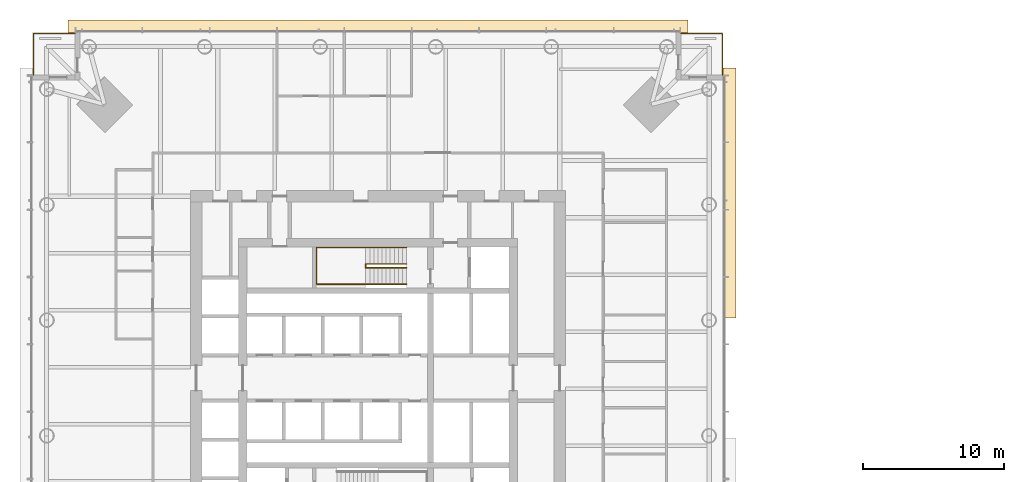
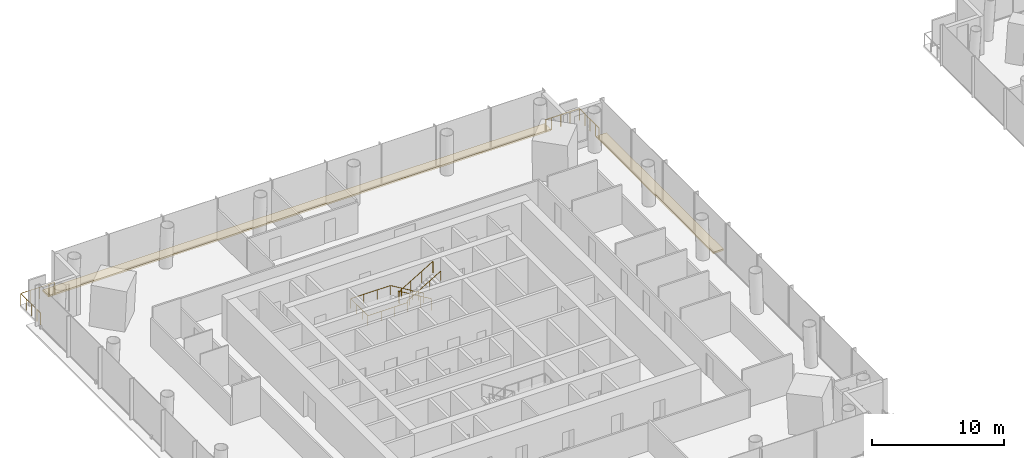
# One storey, part 25 of 26: 8 railings, 2 coverings.
"""IFC4 building model written with IfcOpenShell, lengths in metres."""

from ifc_helpers import new_model, si_unit, direction, frame, origin, origin_2d, place, context, subcontext, project, spatial, polyline, circle, outline, extrude, material, layer, layer_set, type_object, element, save


model = new_model("IFC4")

# Units and contexts
model_context = context("Model", 3, precision=1e-05, world=origin(), true_north=direction((0.0, 1.0)))
body_context = subcontext(model_context, "Body", "Model", "MODEL_VIEW")
ifc_project = project(units=[si_unit("LENGTHUNIT", "METRE"), si_unit("AREAUNIT", "SQUARE_METRE"), si_unit("VOLUMEUNIT", "CUBIC_METRE"), si_unit("PLANEANGLEUNIT", "RADIAN"), si_unit("MASSUNIT", "GRAM", prefix="KILO")], contexts=[model_context])

# Site, building, storey
site_placement = place(None, origin())
site = spatial("IfcSite", under=ifc_project, at=site_placement, CompositionType="ELEMENT")
building_placement = place(site_placement, origin())
building = spatial("IfcBuilding", under=site, at=building_placement, Name="Ostroluk Exchange", CompositionType="ELEMENT")
storey_placement = place(building_placement, frame((0.0, 0.0, 36.199951171875)))
storey = spatial("IfcBuildingStorey", under=building, at=storey_placement, Name="L08", CompositionType="ELEMENT", Elevation=36.199951171875)

# Railings
ifc_material_1 = material(Name="Stainless steel", Category="steel")
railing_type_1 = type_object("IfcRailingType", Name="Guard 1100 stainless steel", PredefinedType="GUARDRAIL", material=ifc_material_1)
railing_1_placement = place(storey_placement, frame((67.0, 70.449951171875, 0.0)))
element("IfcRailing", 1, at=railing_1_placement, inside=storey, type_object=railing_type_1, Name="Office tower NE balcony guard L08", PredefinedType="GUARDRAIL", context=body_context, shape_type="SweptSolid", body=[
    extrude(circle(Radius=0.02392578125, at=origin_2d()), frame((0.0, 0.0, 1.076171875), z_axis=(1.0, 0.0, 0.0), x_axis=(0.0, 1.0, 0.0)), (0.0, 0.0, 1.0), 2.449951171875),
    extrude(circle(Radius=0.02392578125, at=origin_2d()), frame((2.449951171875, 0.0, 1.076171875), z_axis=(0.0, -1.0, 0.0), x_axis=(1.0, 0.0, 0.0)), (0.0, 0.0, 1.0), 2.449951171875),
    extrude(circle(Radius=0.02099609375, at=origin_2d()), origin(), (0.0, 0.0, 1.0), 1.052001953125),
    extrude(circle(Radius=0.02099609375, at=origin_2d()), frame((0.816650390625, 0.0, 0.0)), (0.0, 0.0, 1.0), 1.052001953125),
    extrude(circle(Radius=0.02099609375, at=origin_2d()), frame((1.63330078125, 0.0, 0.0)), (0.0, 0.0, 1.0), 1.052001953125),
    extrude(circle(Radius=0.02099609375, at=origin_2d()), frame((2.449951171875, 0.0, 0.0)), (0.0, 0.0, 1.0), 1.052001953125),
    extrude(circle(Radius=0.02099609375, at=origin_2d()), frame((2.449951171875, -0.816650390625, 0.0)), (0.0, 0.0, 1.0), 1.052001953125),
    extrude(circle(Radius=0.02099609375, at=origin_2d()), frame((2.449951171875, -1.63330078125, 0.0)), (0.0, 0.0, 1.0), 1.052001953125),
    extrude(circle(Radius=0.02099609375, at=origin_2d()), frame((2.449951171875, -2.449951171875, 0.0)), (0.0, 0.0, 1.0), 1.052001953125),
])
railing_2_placement = place(storey_placement, frame((23.0, 70.449951171875, 0.0)))
element("IfcRailing", 2, at=railing_2_placement, inside=storey, type_object=railing_type_1, Name="Office tower NW balcony guard L08", PredefinedType="GUARDRAIL", context=body_context, shape_type="SweptSolid", body=[
    extrude(circle(Radius=0.02392578125, at=origin_2d()), frame((0.0, 0.0, 1.076171875), z_axis=(-1.0, 0.0, 0.0), x_axis=(0.0, -1.0, 0.0)), (0.0, 0.0, 1.0), 2.449951171875),
    extrude(circle(Radius=0.02392578125, at=origin_2d()), frame((-2.449951171875, 0.0, 1.076171875), z_axis=(0.0, -1.0, 0.0), x_axis=(1.0, 0.0, 0.0)), (0.0, 0.0, 1.0), 2.449951171875),
    extrude(circle(Radius=0.02099609375, at=origin_2d()), origin(), (0.0, 0.0, 1.0), 1.052001953125),
    extrude(circle(Radius=0.02099609375, at=origin_2d()), frame((-0.816650390625, 0.0, 0.0)), (0.0, 0.0, 1.0), 1.052001953125),
    extrude(circle(Radius=0.02099609375, at=origin_2d()), frame((-1.63330078125, 0.0, 0.0)), (0.0, 0.0, 1.0), 1.052001953125),
    extrude(circle(Radius=0.02099609375, at=origin_2d()), frame((-2.449951171875, 0.0, 0.0)), (0.0, 0.0, 1.0), 1.052001953125),
    extrude(circle(Radius=0.02099609375, at=origin_2d()), frame((-2.449951171875, -0.816650390625, 0.0)), (0.0, 0.0, 1.0), 1.052001953125),
    extrude(circle(Radius=0.02099609375, at=origin_2d()), frame((-2.449951171875, -1.63330078125, 0.0)), (0.0, 0.0, 1.0), 1.052001953125),
    extrude(circle(Radius=0.02099609375, at=origin_2d()), frame((-2.449951171875, -2.449951171875, 0.0)), (0.0, 0.0, 1.0), 1.052001953125),
])
ifc_material_2 = material(Name="Stainless steel", Category="steel")
railing_type_2 = type_object("IfcRailingType", Name="Lockable maintenance gate 1100", PredefinedType="GUARDRAIL", material=ifc_material_2)
railing_3_placement = place(storey_placement, frame((66.5, 70.449951171875, 0.0)))
element("IfcRailing", 3, at=railing_3_placement, inside=storey, type_object=railing_type_2, Name="Lockable maintenance gate T1 L08 NE", PredefinedType="GUARDRAIL", context=body_context, shape_type="SweptSolid", body=[
    extrude(circle(Radius=0.02392578125, at=origin_2d()), frame((0.0, 0.0, 1.076171875), z_axis=(1.0, 0.0, 0.0), x_axis=(0.0, 1.0, 0.0)), (0.0, 0.0, 1.0), 0.5),
    extrude(circle(Radius=0.02099609375, at=origin_2d()), origin(), (0.0, 0.0, 1.0), 1.052001953125),
    extrude(circle(Radius=0.02099609375, at=origin_2d()), frame((0.5, 0.0, 0.0)), (0.0, 0.0, 1.0), 1.052001953125),
])
railing_4_placement = place(storey_placement, frame((69.449951171875, 68.0, 0.0)))
element("IfcRailing", 4, at=railing_4_placement, inside=storey, type_object=railing_type_2, Name="Lockable maintenance gate T1 L08 NE", PredefinedType="GUARDRAIL", context=body_context, shape_type="SweptSolid", body=[
    extrude(circle(Radius=0.02392578125, at=origin_2d()), frame((0.0, 0.0, 1.076171875), z_axis=(0.0, -1.0, 0.0), x_axis=(1.0, 0.0, 0.0)), (0.0, 0.0, 1.0), 0.5),
    extrude(circle(Radius=0.02099609375, at=origin_2d()), origin(), (0.0, 0.0, 1.0), 1.052001953125),
    extrude(circle(Radius=0.02099609375, at=origin_2d()), frame((0.0, -0.5, 0.0)), (0.0, 0.0, 1.0), 1.052001953125),
])
railing_5_placement = place(storey_placement, frame((23.5, 70.449951171875, 0.0)))
element("IfcRailing", 5, at=railing_5_placement, inside=storey, type_object=railing_type_2, Name="Lockable maintenance gate T1 L08 NW", PredefinedType="GUARDRAIL", context=body_context, shape_type="SweptSolid", body=[
    extrude(circle(Radius=0.02392578125, at=origin_2d()), frame((0.0, 0.0, 1.076171875), z_axis=(-1.0, 0.0, 0.0), x_axis=(0.0, -1.0, 0.0)), (0.0, 0.0, 1.0), 0.5),
    extrude(circle(Radius=0.02099609375, at=origin_2d()), origin(), (0.0, 0.0, 1.0), 1.052001953125),
    extrude(circle(Radius=0.02099609375, at=origin_2d()), frame((-0.5, 0.0, 0.0)), (0.0, 0.0, 1.0), 1.052001953125),
])
railing_6_placement = place(storey_placement, frame((20.550048828125, 68.0, 0.0)))
element("IfcRailing", 6, at=railing_6_placement, inside=storey, type_object=railing_type_2, Name="Lockable maintenance gate T1 L08 NW", PredefinedType="GUARDRAIL", context=body_context, shape_type="SweptSolid", body=[
    extrude(circle(Radius=0.02392578125, at=origin_2d()), frame((0.0, 0.0, 1.076171875), z_axis=(0.0, -1.0, 0.0), x_axis=(1.0, 0.0, 0.0)), (0.0, 0.0, 1.0), 0.5),
    extrude(circle(Radius=0.02099609375, at=origin_2d()), origin(), (0.0, 0.0, 1.0), 1.052001953125),
    extrude(circle(Radius=0.02099609375, at=origin_2d()), frame((0.0, -0.5, 0.0)), (0.0, 0.0, 1.0), 1.052001953125),
])

# Coverings
ifc_material_3 = material(Name="Insulated steel roof deck with membrane, laid to falls, aluminium coping", Category="steel")
ifc_layer = layer(ifc_material_3, 0.14990234375)
ifc_layer_set = layer_set([ifc_layer], Name="Setback maintenance roof")
covering_type = type_object("IfcCoveringType", Name="Setback maintenance roof", PredefinedType="ROOFING", material=ifc_layer_set)
covering_1_placement = place(storey_placement, frame((0.0, 0.0, -0.14990234375)))
element("IfcCovering", 7, at=covering_1_placement, inside=storey, type_object=covering_type, Name="Maintenance roof, setback L08 east", PredefinedType="ROOFING", context=body_context, shape_type="SweptSolid", body=[
    extrude(outline(polyline([(69.5, 68.0), (70.39990234375, 68.0), (70.39990234375, 50.25), (69.5, 50.25), (69.5, 68.0)])), origin(), (0.0, 0.0, 1.0), 0.14990234375),
])
covering_2_placement = place(storey_placement, frame((0.0, 0.0, -0.14990234375)))
element("IfcCovering", 8, at=covering_2_placement, inside=storey, type_object=covering_type, Name="Maintenance roof, setback L08 north", PredefinedType="ROOFING", context=body_context, shape_type="SweptSolid", body=[
    extrude(outline(polyline([(23.0, 71.39990234375), (67.0, 71.39990234375), (67.0, 70.5), (23.0, 70.5), (23.0, 71.39990234375)])), origin(), (0.0, 0.0, 1.0), 0.14990234375),
])

# Railings
ifc_material_4 = material(Name="Steel S355", Category="steel")
railing_type_3 = type_object("IfcRailingType", Name="Stair guard 1100", PredefinedType="GUARDRAIL", material=ifc_material_4)
railing_7_placement = place(storey_placement, frame((47.030029296875, 54.080078125, 0.1728515625)))
element("IfcRailing", 9, at=railing_7_placement, inside=storey, type_object=railing_type_3, Name="Stair T1-S2 guard L08", PredefinedType="GUARDRAIL", context=body_context, shape_type="SweptSolid", body=[
    extrude(circle(Radius=0.02392578125, at=origin_2d()), frame((0.0, 0.0, 1.076171875), z_axis=(-0.859160404282, 0.0, 0.51170636083), x_axis=(0.0, -1.0, 0.0)), (0.0, 0.0, 1.0), 3.37548828125),
    extrude(circle(Radius=0.02392578125, at=origin_2d()), frame((-2.900146484375, 0.0, 2.80322265625), z_axis=(0.0, -1.0, 0.0), x_axis=(1.0, 0.0, 0.0)), (0.0, 0.0, 1.0), 0.260009765625),
    extrude(circle(Radius=0.02392578125, at=origin_2d()), frame((-2.900146484375, -0.260009765625, 2.80322265625), z_axis=(0.0, 0.0, 1.0), x_axis=(1.0, 0.0, 0.0)), (0.0, 0.0, 1.0), 0.172607421875),
    extrude(circle(Radius=0.02392578125, at=origin_2d()), frame((-2.900146484375, -0.260009765625, 2.97607421875), z_axis=(0.859160404282, 0.0, 0.51170636083), x_axis=(0.0, 1.0, 0.0)), (0.0, 0.0, 1.0), 3.37548828125),
    extrude(circle(Radius=0.02099609375, at=origin_2d()), origin(), (0.0, 0.0, 1.0), 1.052001953125),
    extrude(circle(Radius=0.02099609375, at=origin_2d()), frame((-0.966796875, 0.0, 0.57568359375)), (0.0, 0.0, 1.0), 1.052001953125),
    extrude(circle(Radius=0.02099609375, at=origin_2d()), frame((-1.933349609375, 0.0, 1.151611328125)), (0.0, 0.0, 1.0), 1.052001953125),
    extrude(circle(Radius=0.02099609375, at=origin_2d()), frame((-2.900146484375, 0.0, 1.727294921875)), (0.0, 0.0, 1.0), 1.052001953125),
    extrude(circle(Radius=0.02099609375, at=origin_2d()), frame((-2.900146484375, -0.260009765625, 1.727294921875)), (0.0, 0.0, 1.0), 1.052001953125),
    extrude(circle(Radius=0.02099609375, at=origin_2d()), frame((-2.900146484375, -0.260009765625, 1.89990234375)), (0.0, 0.0, 1.0), 1.052001953125),
    extrude(circle(Radius=0.02099609375, at=origin_2d()), frame((-1.933349609375, -0.260009765625, 2.4755859375)), (0.0, 0.0, 1.0), 1.052001953125),
    extrude(circle(Radius=0.02099609375, at=origin_2d()), frame((-0.966796875, -0.260009765625, 3.051513671875)), (0.0, 0.0, 1.0), 1.052001953125),
    extrude(circle(Radius=0.02099609375, at=origin_2d()), frame((0.0, -0.260009765625, 3.627197265625)), (0.0, 0.0, 1.0), 1.052001953125),
])
ifc_material_5 = material(Name="Stainless steel", Category="steel")
railing_type_4 = type_object("IfcRailingType", Name="Stair handrail 900", PredefinedType="HANDRAIL", material=ifc_material_5)
railing_8_placement = place(storey_placement, frame((47.030029296875, 55.25, 0.1728515625)))
element("IfcRailing", 10, at=railing_8_placement, inside=storey, type_object=railing_type_4, Name="Stair T1-S2 handrail L08", PredefinedType="HANDRAIL", context=body_context, shape_type="SweptSolid", body=[
    extrude(circle(Radius=0.02392578125, at=origin_2d()), frame((0.0, 0.0, 0.8759765625), z_axis=(-0.859160404282, 0.0, 0.51170636083), x_axis=(0.0, -1.0, 0.0)), (0.0, 0.0, 1.0), 3.37548828125),
    extrude(circle(Radius=0.02392578125, at=origin_2d()), frame((-2.900146484375, 0.0, 2.60302734375), z_axis=(-1.0, 0.0, 0.0), x_axis=(0.0, -1.0, 0.0)), (0.0, 0.0, 1.0), 3.47998046875),
    extrude(circle(Radius=0.02392578125, at=origin_2d()), frame((-6.380126953125, 0.0, 2.60302734375), z_axis=(0.0, -1.0, 0.0), x_axis=(1.0, 0.0, 0.0)), (0.0, 0.0, 1.0), 2.60009765625),
    extrude(circle(Radius=0.02392578125, at=origin_2d()), frame((-6.380126953125, -2.60009765625, 2.60302734375), z_axis=(1.0, 0.0, 0.0), x_axis=(0.0, 1.0, 0.0)), (0.0, 0.0, 1.0), 3.47998046875),
    extrude(circle(Radius=0.02392578125, at=origin_2d()), frame((-2.900146484375, -2.60009765625, 2.60302734375), z_axis=(0.0, 0.0, 1.0), x_axis=(1.0, 0.0, 0.0)), (0.0, 0.0, 1.0), 0.172607421875),
    extrude(circle(Radius=0.02392578125, at=origin_2d()), frame((-2.900146484375, -2.60009765625, 2.77587890625), z_axis=(0.859160404282, 0.0, 0.51170636083), x_axis=(0.0, 1.0, 0.0)), (0.0, 0.0, 1.0), 3.37548828125),
    extrude(circle(Radius=0.02099609375, at=origin_2d()), origin(), (0.0, 0.0, 1.0), 0.851806640625),
    extrude(circle(Radius=0.02099609375, at=origin_2d()), frame((-0.966796875, 0.0, 0.57568359375)), (0.0, 0.0, 1.0), 0.851806640625),
    extrude(circle(Radius=0.02099609375, at=origin_2d()), frame((-1.933349609375, 0.0, 1.151611328125)), (0.0, 0.0, 1.0), 0.851806640625),
    extrude(circle(Radius=0.02099609375, at=origin_2d()), frame((-2.900146484375, 0.0, 1.727294921875)), (0.0, 0.0, 1.0), 0.851806640625),
    extrude(circle(Radius=0.02099609375, at=origin_2d()), frame((-4.06005859375, 0.0, 1.727294921875)), (0.0, 0.0, 1.0), 0.851806640625),
    extrude(circle(Radius=0.02099609375, at=origin_2d()), frame((-5.22021484375, 0.0, 1.727294921875)), (0.0, 0.0, 1.0), 0.851806640625),
    extrude(circle(Radius=0.02099609375, at=origin_2d()), frame((-6.380126953125, 0.0, 1.727294921875)), (0.0, 0.0, 1.0), 0.851806640625),
    extrude(circle(Radius=0.02099609375, at=origin_2d()), frame((-6.380126953125, -0.86669921875, 1.727294921875)), (0.0, 0.0, 1.0), 0.851806640625),
    extrude(circle(Radius=0.02099609375, at=origin_2d()), frame((-6.380126953125, -1.7333984375, 1.727294921875)), (0.0, 0.0, 1.0), 0.851806640625),
    extrude(circle(Radius=0.02099609375, at=origin_2d()), frame((-6.380126953125, -2.60009765625, 1.727294921875)), (0.0, 0.0, 1.0), 0.851806640625),
    extrude(circle(Radius=0.02099609375, at=origin_2d()), frame((-5.22021484375, -2.60009765625, 1.727294921875)), (0.0, 0.0, 1.0), 0.851806640625),
    extrude(circle(Radius=0.02099609375, at=origin_2d()), frame((-4.06005859375, -2.60009765625, 1.727294921875)), (0.0, 0.0, 1.0), 0.851806640625),
    extrude(circle(Radius=0.02099609375, at=origin_2d()), frame((-2.900146484375, -2.60009765625, 1.727294921875)), (0.0, 0.0, 1.0), 0.851806640625),
    extrude(circle(Radius=0.02099609375, at=origin_2d()), frame((-2.900146484375, -2.60009765625, 1.89990234375)), (0.0, 0.0, 1.0), 0.851806640625),
    extrude(circle(Radius=0.02099609375, at=origin_2d()), frame((-1.933349609375, -2.60009765625, 2.4755859375)), (0.0, 0.0, 1.0), 0.851806640625),
    extrude(circle(Radius=0.02099609375, at=origin_2d()), frame((-0.966796875, -2.60009765625, 3.051513671875)), (0.0, 0.0, 1.0), 0.851806640625),
    extrude(circle(Radius=0.02099609375, at=origin_2d()), frame((0.0, -2.60009765625, 3.627197265625)), (0.0, 0.0, 1.0), 0.851806640625),
])

save(model, "model.ifc")
